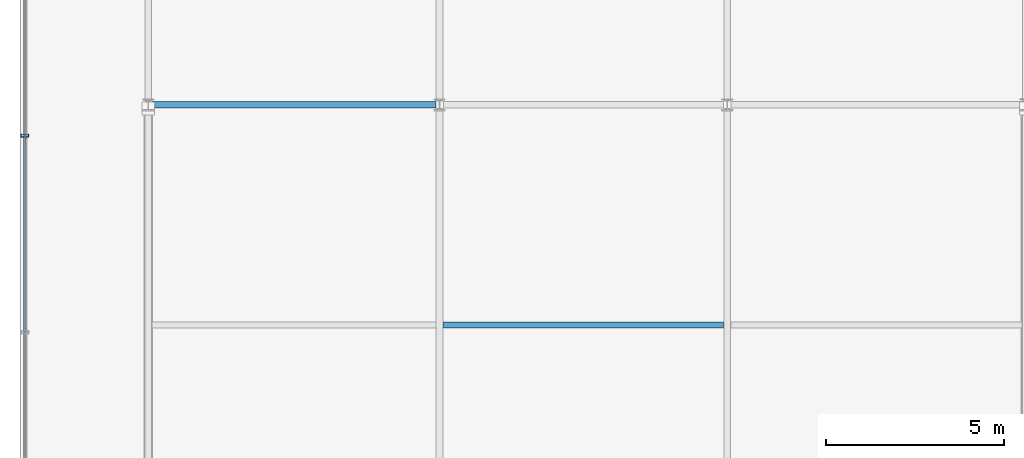
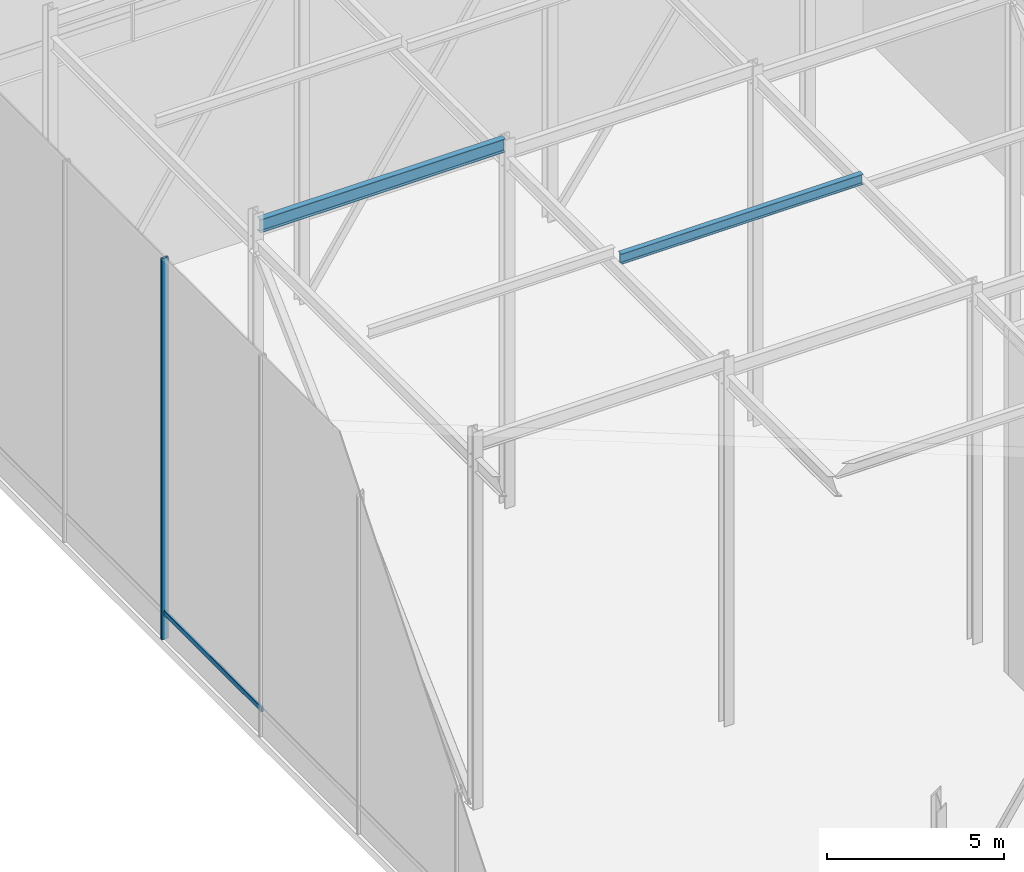
# One storey, part 12 of 39: 2 beams, 2 members, 1 element without a shape of its own.
"""IFC4 building model written with IfcOpenShell, lengths in metres."""

from ifc_helpers import new_model, si_unit, direction, frame, origin, origin_2d, place, context, subcontext, project, spatial, hollow_rectangle, i_section, extrude, material, layer, layer_set, material_profile, profile_set, type_object, element, aggregate, save


model = new_model("IFC4")

# Units and contexts
model_context = context("Model", 3, precision=1e-05, world=origin(), true_north=direction((0.0, 1.0)))
body_context = subcontext(model_context, "Body", "Model", "MODEL_VIEW")
ifc_project = project(units=[si_unit("LENGTHUNIT", "METRE"), si_unit("AREAUNIT", "SQUARE_METRE"), si_unit("VOLUMEUNIT", "CUBIC_METRE"), si_unit("PLANEANGLEUNIT", "RADIAN"), si_unit("MASSUNIT", "GRAM", prefix="KILO")], contexts=[model_context])

# Site, building, storey
site_placement = place(None, origin())
site = spatial("IfcSite", under=ifc_project, at=site_placement, CompositionType="ELEMENT")
building_placement = place(site_placement, origin())
building = spatial("IfcBuilding", under=site, at=building_placement, Name="Korimba Cascade Residences", CompositionType="ELEMENT")
storey_placement = place(building_placement, frame((0.0, 0.0, 264.199951171875)))
storey = spatial("IfcBuildingStorey", under=building, at=storey_placement, Name="RF", CompositionType="ELEMENT", Elevation=264.199951171875)

# Beams
ifc_material_1 = material(Name="Steel S355", Category="steel")
ifc_material_profile_1 = material_profile(ifc_material_1, i_section(OverallWidth=0.172119140625, OverallDepth=0.35791015625, WebThickness=0.008056640625, FlangeThickness=0.012939453125, FilletRadius=0.01025390625, at=origin_2d()), Name="Steel S355")
ifc_profile_set_1 = profile_set([ifc_material_profile_1], Name="Steel S355")
beam_type_1 = type_object("IfcBeamType", Name="BM-STL-UB356", PredefinedType="JOIST", material=ifc_profile_set_1)
beam_1_placement = place(storey_placement, frame((68.10009765625, 73.39990234375, 12.231689453125), z_axis=(1.0, 0.0, 0.0), x_axis=(0.0, 1.0, 0.0)))
element("IfcBeam", 1, at=beam_1_placement, inside=storey, type_object=beam_type_1, Name="RF Crown Cap Joist W2.2", PredefinedType="JOIST", context=body_context, shape_type="SweptSolid", body=[
    extrude(i_section(OverallWidth=0.172119140625, OverallDepth=0.35791015625, WebThickness=0.008056640625, FlangeThickness=0.012939453125, FilletRadius=0.01025390625, at=origin_2d()), origin(), (0.0, 0.0, 1.0), 7.89990234375),
])
ifc_material_profile_2 = material_profile(ifc_material_1, i_section(OverallWidth=0.19140625, OverallDepth=0.4599609375, WebThickness=0.010009765625, FlangeThickness=0.01611328125, FilletRadius=0.01025390625, at=origin_2d()), Name="Steel S355")
ifc_profile_set_2 = profile_set([ifc_material_profile_2], Name="Steel S355")
beam_type_2 = type_object("IfcBeamType", Name="BM-STL-UB457", PredefinedType="JOIST", material=ifc_profile_set_2)
beam_2_placement = place(storey_placement, frame((59.905029296875, 79.60009765625, 12.481689453125), z_axis=(1.0, 0.0, 0.0), x_axis=(0.0, 1.0, 0.0)))
element("IfcBeam", 2, at=beam_2_placement, inside=storey, type_object=beam_type_2, Name="RF Crown Cap Ring Beam W3.1", PredefinedType="JOIST", context=body_context, shape_type="SweptSolid", body=[
    extrude(i_section(OverallWidth=0.19140625, OverallDepth=0.4599609375, WebThickness=0.010009765625, FlangeThickness=0.01611328125, FilletRadius=0.01025390625, at=origin_2d()), origin(), (0.0, 0.0, 1.0), 7.989990234375),
])

# Curtain wall, members
ifc_material_2 = material(Name="Anodised Aluminium Curtain Wall Framing", Category="aluminium")
ifc_layer = layer(ifc_material_2, 0.179931640625)
ifc_layer_set = layer_set([ifc_layer], Name="Anodised Aluminium Curtain Wall Framing")
curtain_wall_type = type_object("IfcCurtainWallType", Name="CW-CRNW-SYS5", PredefinedType="NOTDEFINED", material=ifc_layer_set)
curtain_wall_placement = place(storey_placement, origin())
curtain_wall = element("IfcCurtainWall", 3, at=curtain_wall_placement, inside=storey, type_object=curtain_wall_type, Name="RF Curtain Wall CW-RF-CRN-W-1", PredefinedType="NOTDEFINED")
ifc_material_3 = material(Name="Anodised Aluminium Mullion", Category="aluminium")
ifc_material_profile_3 = material_profile(ifc_material_3, hollow_rectangle(XDim=0.080078125, YDim=0.219970703125, WallThickness=0.00634765625, InnerFilletRadius=0.00634765625, OuterFilletRadius=0.0126953125, at=origin_2d()), Name="Anodised Aluminium Mullion")
ifc_profile_set_3 = profile_set([ifc_material_profile_3], Name="Anodised Aluminium Mullion")
member_type_1 = type_object("IfcMemberType", Name="CWM-MUL-220", PredefinedType="MULLION", material=ifc_profile_set_3)
member_1_placement = place(storey_placement, frame((56.324951171875, 78.7333984375, 0.0), z_axis=(0.0, 0.0, 1.0), x_axis=(0.0, 1.0, 0.0)))
member_1 = element("IfcMember", 4, at=member_1_placement, type_object=member_type_1, Name="CW-RF-CRN-W-1 Mullion 5", PredefinedType="MULLION", context=body_context, shape_type="SweptSolid", body=[
    extrude(hollow_rectangle(XDim=0.080078125, YDim=0.219970703125, WallThickness=0.00634765625, InnerFilletRadius=0.00634765625, OuterFilletRadius=0.0126953125, at=origin_2d()), origin(), (0.0, 0.0, 1.0), 13.1455078125),
])
ifc_material_4 = material(Name="Anodised Aluminium Transom", Category="aluminium")
ifc_material_profile_4 = material_profile(ifc_material_4, hollow_rectangle(XDim=0.070068359375, YDim=0.179931640625, WallThickness=0.0048828125, InnerFilletRadius=0.0048828125, OuterFilletRadius=0.010009765625, at=origin_2d()), Name="Anodised Aluminium Transom")
ifc_profile_set_4 = profile_set([ifc_material_profile_4], Name="Anodised Aluminium Transom")
member_type_2 = type_object("IfcMemberType", Name="CWM-TRN-150", PredefinedType="USERDEFINED", material=ifc_profile_set_4)
member_2_placement = place(storey_placement, frame((56.324951171875, 73.199951171875, 0.900146484375), z_axis=(0.0, 1.0, 0.0), x_axis=(-1.0, 0.0, 0.0)))
member_2 = element("IfcMember", 5, at=member_2_placement, type_object=member_type_2, Name="CW-RF-CRN-W-1 Transom 4", ObjectType="TRANSOM", PredefinedType="USERDEFINED", context=body_context, shape_type="SweptSolid", body=[
    extrude(hollow_rectangle(XDim=0.070068359375, YDim=0.179931640625, WallThickness=0.0048828125, InnerFilletRadius=0.0048828125, OuterFilletRadius=0.010009765625, at=origin_2d()), origin(), (0.0, 0.0, 1.0), 5.533447265625),
])
aggregate(curtain_wall, [member_1, member_2])

save(model, "model.ifc")
